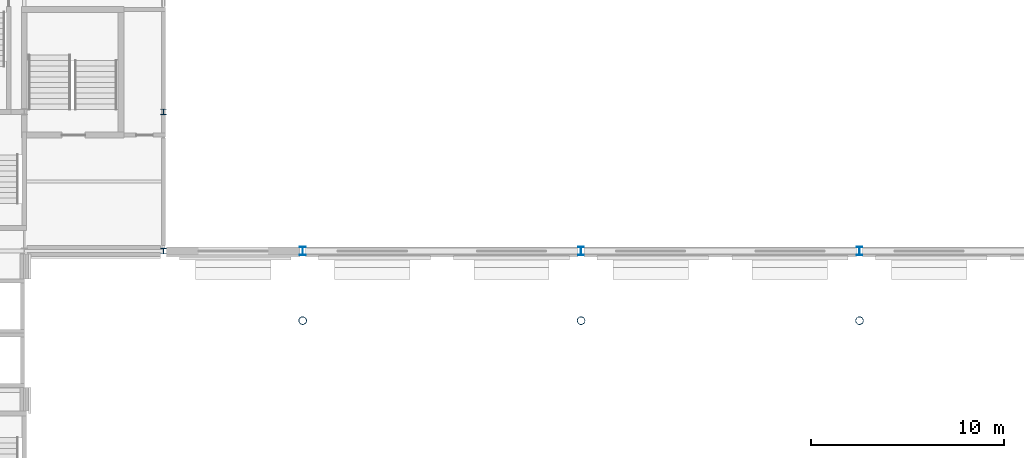
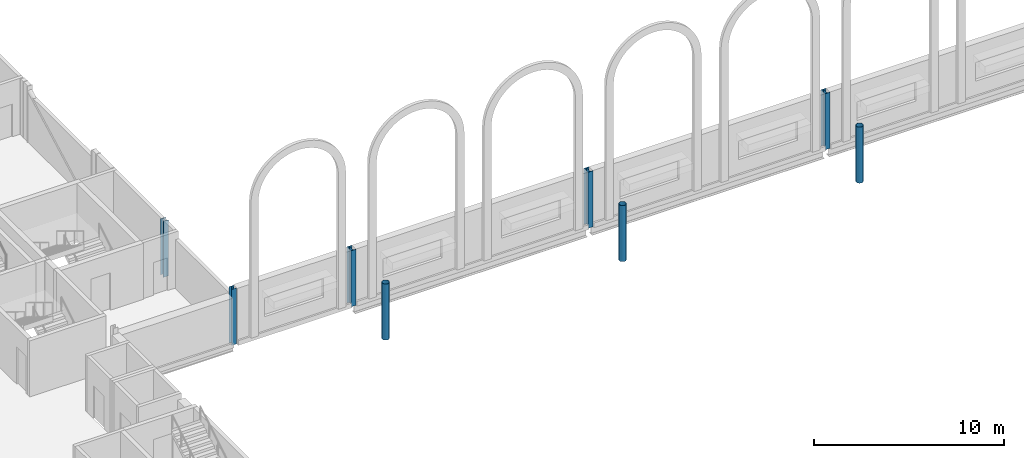
# One storey, part 5 of 143: 8 columns.
"""IFC4 building model written with IfcOpenShell, lengths in metres."""

from ifc_helpers import new_model, si_unit, direction, frame, origin, origin_2d, place, context, subcontext, project, spatial, hollow_circle, i_section, extrude, material, material_profile, profile_set, type_object, element, save


model = new_model("IFC4")

# Units and contexts
model_context = context("Model", 3, precision=1e-05, world=origin(), true_north=direction((0.0, 1.0)))
body_context = subcontext(model_context, "Body", "Model", "MODEL_VIEW")
ifc_project = project(units=[si_unit("LENGTHUNIT", "METRE"), si_unit("AREAUNIT", "SQUARE_METRE"), si_unit("VOLUMEUNIT", "CUBIC_METRE"), si_unit("PLANEANGLEUNIT", "RADIAN"), si_unit("MASSUNIT", "GRAM", prefix="KILO")], contexts=[model_context])

# Site, building, storey
site_placement = place(None, origin())
site = spatial("IfcSite", under=ifc_project, at=site_placement, CompositionType="ELEMENT")
building_placement = place(site_placement, origin())
building = spatial("IfcBuilding", under=site, at=building_placement, Name="Kupolbacken Congress Centre", CompositionType="ELEMENT")
storey_placement = place(building_placement, frame((0.0, 0.0, 7.199951171875)))
storey = spatial("IfcBuildingStorey", under=building, at=storey_placement, Name="L02", CompositionType="ELEMENT", Elevation=7.199951171875)

# Columns
ifc_material_1 = material(Name="Steel S355", Category="steel")
ifc_material_profile_1 = material_profile(ifc_material_1, i_section(OverallWidth=0.300048828125, OverallDepth=0.43994140625, WebThickness=0.011474609375, FlangeThickness=0.02099609375, FilletRadius=0.027099609375, at=origin_2d()), Name="HEA 450")
ifc_profile_set_1 = profile_set([ifc_material_profile_1], Name="Steel S355")
column_type_1 = type_object("IfcColumnType", Name="C07 column HEA 450", PredefinedType="COLUMN", material=ifc_profile_set_1)
for number, where, z_axis, x_axis, name in (
    (1, (93.60009765625, 43.199951171875, 0.0), (0.0, 0.0, 1.0), (1.0, 0.0, 0.0), "S/col/C-H-T1S/L02"),
    (2, (108.0, 43.199951171875, 0.0), (0.0, 0.0, 1.0), (1.0, 0.0, 0.0), "S/col/C-H-T2S/L02"),
    (3, (122.39990234375, 43.199951171875, 0.0), (0.0, 0.0, 1.0), (1.0, 0.0, 0.0), "S/col/C-H-T3S/L02"),
):
    element("IfcColumn", number, at=place(storey_placement, frame(where, z_axis=z_axis, x_axis=x_axis)), inside=storey, type_object=column_type_1, Name=name, PredefinedType="COLUMN", context=body_context, shape_type="SweptSolid", body=[
        extrude(i_section(OverallWidth=0.300048828125, OverallDepth=0.43994140625, WebThickness=0.011474609375, FlangeThickness=0.02099609375, FilletRadius=0.027099609375, at=origin_2d()), origin(), (0.0, 0.0, 1.0), 3.60009765625),
    ])
ifc_material_2 = material(Name="Steel S355", Category="steel")
ifc_material_profile_2 = material_profile(ifc_material_2, i_section(OverallWidth=0.300048828125, OverallDepth=0.2900390625, WebThickness=0.008544921875, FlangeThickness=0.013916015625, FilletRadius=0.027099609375, at=origin_2d()), Name="HEA 300")
ifc_profile_set_2 = profile_set([ifc_material_profile_2], Name="Steel S355")
column_type_2 = type_object("IfcColumnType", Name="C09 column HEA 300", PredefinedType="COLUMN", material=ifc_profile_set_2)
for number, where, z_axis, x_axis, name in (
    (4, (86.39990234375, 43.199951171875, 0.0), (0.0, 0.0, 1.0), (1.0, 0.0, 0.0), "S/col/C-H-PW01/L02"),
    (5, (86.39990234375, 50.39990234375, 0.0), (0.0, 0.0, 1.0), (1.0, 0.0, 0.0), "S/col/C-H-PW02/L02"),
):
    element("IfcColumn", number, at=place(storey_placement, frame(where, z_axis=z_axis, x_axis=x_axis)), inside=storey, type_object=column_type_2, Name=name, PredefinedType="COLUMN", context=body_context, shape_type="SweptSolid", body=[
        extrude(i_section(OverallWidth=0.300048828125, OverallDepth=0.2900390625, WebThickness=0.008544921875, FlangeThickness=0.013916015625, FilletRadius=0.027099609375, at=origin_2d()), origin(), (0.0, 0.0, 1.0), 3.60009765625),
    ])
ifc_material_3 = material(Name="Steel S355", Category="steel")
ifc_material_profile_3 = material_profile(ifc_material_3, hollow_circle(Radius=0.203125, WallThickness=0.01611328125, at=origin_2d()), Name="CHS 406.4 x 16")
ifc_profile_set_3 = profile_set([ifc_material_profile_3], Name="Steel S355")
column_type_3 = type_object("IfcColumnType", Name="C15 roof mast CHS 406.4 x 16", PredefinedType="COLUMN", material=ifc_profile_set_3)
for number, where, z_axis, x_axis, name in (
    (6, (93.60009765625, 39.60009765625, 0.0), (0.0, 0.0, 1.0), (1.0, 0.0, 0.0), "Roof mast M1S"),
    (7, (108.0, 39.60009765625, 0.0), (0.0, 0.0, 1.0), (1.0, 0.0, 0.0), "Roof mast M2S"),
    (8, (122.39990234375, 39.60009765625, 0.0), (0.0, 0.0, 1.0), (1.0, 0.0, 0.0), "Roof mast M3S"),
):
    element("IfcColumn", number, at=place(storey_placement, frame(where, z_axis=z_axis, x_axis=x_axis)), inside=storey, type_object=column_type_3, Name=name, PredefinedType="COLUMN", context=body_context, shape_type="SweptSolid", body=[
        extrude(hollow_circle(Radius=0.203125, WallThickness=0.01611328125, at=origin_2d()), origin(), (0.0, 0.0, 1.0), 3.60009765625),
    ])

save(model, "model.ifc")
